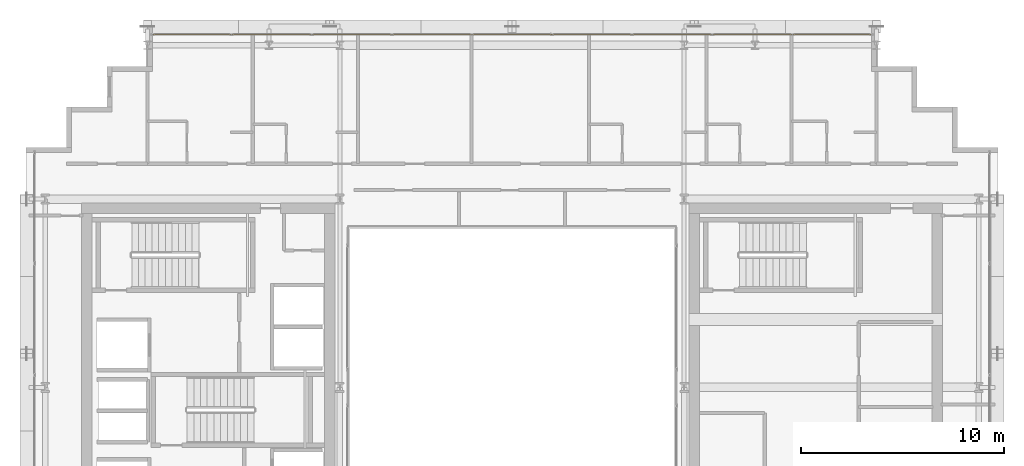
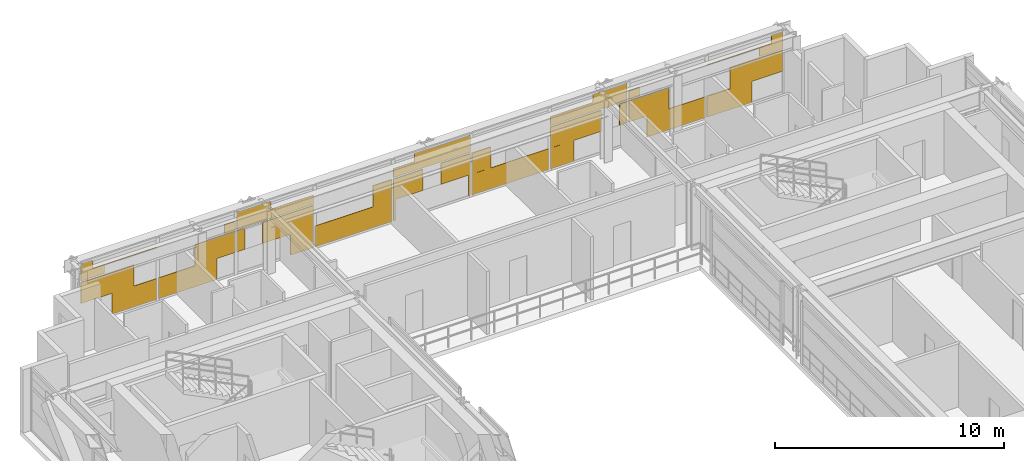
# One storey, part 37 of 37: 1 covering.
"""IFC4 building model written with IfcOpenShell, lengths in metres."""

from ifc_helpers import new_model, si_unit, direction, frame, origin, origin_2d, place, context, subcontext, project, spatial, rectangle, extrude, material, layer, layer_set, type_object, element, save


model = new_model("IFC4")

# Units and contexts
model_context = context("Model", 3, precision=1e-05, world=origin(), true_north=direction((0.0, 1.0)))
body_context = subcontext(model_context, "Body", "Model", "MODEL_VIEW")
ifc_project = project(units=[si_unit("LENGTHUNIT", "METRE"), si_unit("AREAUNIT", "SQUARE_METRE"), si_unit("VOLUMEUNIT", "CUBIC_METRE"), si_unit("PLANEANGLEUNIT", "RADIAN"), si_unit("MASSUNIT", "GRAM", prefix="KILO")], contexts=[model_context])

# Site, building, storey
site_placement = place(None, origin())
site = spatial("IfcSite", under=ifc_project, at=site_placement, CompositionType="ELEMENT")
building_placement = place(site_placement, origin())
building = spatial("IfcBuilding", under=site, at=building_placement, Name="Ocotamira Hotel", CompositionType="ELEMENT")
storey_placement = place(building_placement, frame((0.0, 0.0, 192.0)))
storey = spatial("IfcBuildingStorey", under=building, at=storey_placement, Name="L48", CompositionType="ELEMENT", Elevation=192.0)

# Covering
ifc_material = material(Name="Insulated pale-metal aluminium spandrel panel", Category="aluminium")
ifc_layer = layer(ifc_material, 0.044921875)
ifc_layer_set = layer_set([ifc_layer], Name="Insulated pale-metal aluminium spandrel panel")
covering_type = type_object("IfcCoveringType", Name="COV-INFILL-45", PredefinedType="CLADDING", material=ifc_layer_set)
covering_placement = place(storey_placement, origin())
element("IfcCovering", 1, at=covering_placement, inside=storey, type_object=covering_type, Name="L48 Curtain Wall Infill CW-4 CW-L48-N", PredefinedType="CLADDING", context=body_context, shape_type="SweptSolid", body=[
    extrude(rectangle(XDim=2.68701171875, YDim=0.044921875, at=origin_2d()), frame((15.6240234375, 45.580078125, 1.1943359375), z_axis=(0.0, 0.0, 1.0), x_axis=(1.0, 0.0, 0.0)), (0.0, 0.0, 1.0), 1.117919921875),
    extrude(rectangle(XDim=2.26708984375, YDim=0.044921875, at=origin_2d()), frame((16.9814453125, 45.580078125, 0.07568359375), z_axis=(0.0, 0.0, 1.0), x_axis=(1.0, 0.0, 0.0)), (0.0, 0.0, 1.0), 1.117919921875),
    extrude(rectangle(XDim=1.19482421875, YDim=0.044921875, at=origin_2d()), frame((14.8779296875, 45.580078125, 2.38818359375), z_axis=(0.0, 0.0, 1.0), x_axis=(1.0, 0.0, 0.0)), (0.0, 0.0, 1.0), 0.442626953125),
    extrude(rectangle(XDim=3.834716796875, YDim=0.044921875, at=origin_2d()), frame((16.19775390625, 45.580078125, 2.83154296875), z_axis=(0.0, 0.0, 1.0), x_axis=(1.0, 0.0, 0.0)), (0.0, 0.0, 1.0), 0.0302734375),
    extrude(rectangle(XDim=0.601318359375, YDim=0.044921875, at=origin_2d()), frame((14.581298828125, 45.580078125, 2.86279296875), z_axis=(0.0, 0.0, 1.0), x_axis=(1.0, 0.0, 0.0)), (0.0, 0.0, 1.0), 0.431640625),
    extrude(rectangle(XDim=2.955810546875, YDim=0.044921875, at=origin_2d()), frame((19.674072265625, 45.580078125, 0.07568359375), z_axis=(0.0, 0.0, 1.0), x_axis=(1.0, 0.0, 0.0)), (0.0, 0.0, 1.0), 1.117919921875),
    extrude(rectangle(XDim=2.0380859375, YDim=0.044921875, at=origin_2d()), frame((21.051513671875, 45.580078125, 1.1943359375), z_axis=(0.0, 0.0, 1.0), x_axis=(1.0, 0.0, 0.0)), (0.0, 0.0, 1.0), 1.117919921875),
    extrude(rectangle(XDim=0.5458984375, YDim=0.044921875, at=origin_2d()), frame((21.797607421875, 45.580078125, 2.38818359375), z_axis=(0.0, 0.0, 1.0), x_axis=(1.0, 0.0, 0.0)), (0.0, 0.0, 1.0), 0.473876953125),
    extrude(rectangle(XDim=0.398681640625, YDim=0.044921875, at=origin_2d()), frame((22.35107421875, 45.580078125, 1.1943359375), z_axis=(0.0, 0.0, 1.0), x_axis=(1.0, 0.0, 0.0)), (0.0, 0.0, 1.0), 1.117919921875),
    extrude(rectangle(XDim=2.57666015625, YDim=0.044921875, at=origin_2d()), frame((24.73779296875, 45.580078125, 1.1943359375), z_axis=(0.0, 0.0, 1.0), x_axis=(1.0, 0.0, 0.0)), (0.0, 0.0, 1.0), 1.117919921875),
    extrude(rectangle(XDim=1.177978515625, YDim=0.044921875, at=origin_2d()), frame((25.43701171875, 45.580078125, 0.07568359375), z_axis=(0.0, 0.0, 1.0), x_axis=(1.0, 0.0, 0.0)), (0.0, 0.0, 1.0), 1.117919921875),
    extrude(rectangle(XDim=3.87451171875, YDim=0.044921875, at=origin_2d()), frame((24.0888671875, 45.580078125, 2.38818359375), z_axis=(0.0, 0.0, 1.0), x_axis=(1.0, 0.0, 0.0)), (0.0, 0.0, 1.0), 0.473876953125),
    extrude(rectangle(XDim=1.730224609375, YDim=0.044921875, at=origin_2d()), frame((23.0166015625, 45.580078125, 2.86279296875), z_axis=(0.0, 0.0, 1.0), x_axis=(1.0, 0.0, 0.0)), (0.0, 0.0, 1.0), 0.431640625),
    extrude(rectangle(XDim=3.87451171875, YDim=0.044921875, at=origin_2d()), frame((28.04443359375, 45.580078125, 0.07568359375), z_axis=(0.0, 0.0, 1.0), x_axis=(1.0, 0.0, 0.0)), (0.0, 0.0, 1.0), 1.117919921875),
    extrude(rectangle(XDim=0.94921875, YDim=0.044921875, at=origin_2d()), frame((29.507080078125, 45.580078125, 1.1943359375), z_axis=(0.0, 0.0, 1.0), x_axis=(1.0, 0.0, 0.0)), (0.0, 0.0, 1.0), 1.117919921875),
    extrude(rectangle(XDim=0.089111328125, YDim=0.044921875, at=origin_2d()), frame((30.107421875, 45.580078125, 0.07568359375), z_axis=(0.0, 0.0, 1.0), x_axis=(1.0, 0.0, 0.0)), (0.0, 0.0, 1.0), 1.117919921875),
    extrude(rectangle(XDim=1.48779296875, YDim=0.044921875, at=origin_2d()), frame((30.806640625, 45.580078125, 1.1943359375), z_axis=(0.0, 0.0, 1.0), x_axis=(1.0, 0.0, 0.0)), (0.0, 0.0, 1.0), 1.117919921875),
    extrude(rectangle(XDim=1.48779296875, YDim=0.044921875, at=origin_2d()), frame((33.193359375, 45.580078125, 1.1943359375), z_axis=(0.0, 0.0, 1.0), x_axis=(1.0, 0.0, 0.0)), (0.0, 0.0, 1.0), 1.117919921875),
    extrude(rectangle(XDim=0.089111328125, YDim=0.044921875, at=origin_2d()), frame((33.892578125, 45.580078125, 0.07568359375), z_axis=(0.0, 0.0, 1.0), x_axis=(1.0, 0.0, 0.0)), (0.0, 0.0, 1.0), 1.117919921875),
    extrude(rectangle(XDim=3.87451171875, YDim=0.044921875, at=origin_2d()), frame((32.0, 45.580078125, 2.38818359375), z_axis=(0.0, 0.0, 1.0), x_axis=(1.0, 0.0, 0.0)), (0.0, 0.0, 1.0), 0.473876953125),
    extrude(rectangle(XDim=2.819091796875, YDim=0.044921875, at=origin_2d()), frame((32.527587890625, 45.580078125, 2.86279296875), z_axis=(0.0, 0.0, 1.0), x_axis=(1.0, 0.0, 0.0)), (0.0, 0.0, 1.0), 0.431640625),
    extrude(rectangle(XDim=3.87451171875, YDim=0.044921875, at=origin_2d()), frame((35.95556640625, 45.580078125, 0.07568359375), z_axis=(0.0, 0.0, 1.0), x_axis=(1.0, 0.0, 0.0)), (0.0, 0.0, 1.0), 1.117919921875),
    extrude(rectangle(XDim=0.94921875, YDim=0.044921875, at=origin_2d()), frame((34.492919921875, 45.580078125, 1.1943359375), z_axis=(0.0, 0.0, 1.0), x_axis=(1.0, 0.0, 0.0)), (0.0, 0.0, 1.0), 1.117919921875),
    extrude(rectangle(XDim=1.177978515625, YDim=0.044921875, at=origin_2d()), frame((38.56298828125, 45.580078125, 0.07568359375), z_axis=(0.0, 0.0, 1.0), x_axis=(1.0, 0.0, 0.0)), (0.0, 0.0, 1.0), 1.117919921875),
    extrude(rectangle(XDim=2.57666015625, YDim=0.044921875, at=origin_2d()), frame((39.26220703125, 45.580078125, 1.1943359375), z_axis=(0.0, 0.0, 1.0), x_axis=(1.0, 0.0, 0.0)), (0.0, 0.0, 1.0), 1.117919921875),
    extrude(rectangle(XDim=0.398681640625, YDim=0.044921875, at=origin_2d()), frame((41.64892578125, 45.580078125, 1.1943359375), z_axis=(0.0, 0.0, 1.0), x_axis=(1.0, 0.0, 0.0)), (0.0, 0.0, 1.0), 1.117919921875),
    extrude(rectangle(XDim=3.87451171875, YDim=0.044921875, at=origin_2d()), frame((39.9111328125, 45.580078125, 2.38818359375), z_axis=(0.0, 0.0, 1.0), x_axis=(1.0, 0.0, 0.0)), (0.0, 0.0, 1.0), 0.473876953125),
    extrude(rectangle(XDim=1.730224609375, YDim=0.044921875, at=origin_2d()), frame((40.9833984375, 45.580078125, 2.86279296875), z_axis=(0.0, 0.0, 1.0), x_axis=(1.0, 0.0, 0.0)), (0.0, 0.0, 1.0), 0.431640625),
    extrude(rectangle(XDim=2.0380859375, YDim=0.044921875, at=origin_2d()), frame((42.948486328125, 45.580078125, 1.1943359375), z_axis=(0.0, 0.0, 1.0), x_axis=(1.0, 0.0, 0.0)), (0.0, 0.0, 1.0), 1.117919921875),
    extrude(rectangle(XDim=2.955810546875, YDim=0.044921875, at=origin_2d()), frame((44.325927734375, 45.580078125, 0.07568359375), z_axis=(0.0, 0.0, 1.0), x_axis=(1.0, 0.0, 0.0)), (0.0, 0.0, 1.0), 1.117919921875),
    extrude(rectangle(XDim=0.5458984375, YDim=0.044921875, at=origin_2d()), frame((42.202392578125, 45.580078125, 2.38818359375), z_axis=(0.0, 0.0, 1.0), x_axis=(1.0, 0.0, 0.0)), (0.0, 0.0, 1.0), 0.473876953125),
    extrude(rectangle(XDim=2.26708984375, YDim=0.044921875, at=origin_2d()), frame((47.0185546875, 45.580078125, 0.07568359375), z_axis=(0.0, 0.0, 1.0), x_axis=(1.0, 0.0, 0.0)), (0.0, 0.0, 1.0), 1.117919921875),
    extrude(rectangle(XDim=2.68701171875, YDim=0.044921875, at=origin_2d()), frame((48.3759765625, 45.580078125, 1.1943359375), z_axis=(0.0, 0.0, 1.0), x_axis=(1.0, 0.0, 0.0)), (0.0, 0.0, 1.0), 1.117919921875),
    extrude(rectangle(XDim=3.834716796875, YDim=0.044921875, at=origin_2d()), frame((47.80224609375, 45.580078125, 2.83154296875), z_axis=(0.0, 0.0, 1.0), x_axis=(1.0, 0.0, 0.0)), (0.0, 0.0, 1.0), 0.0302734375),
    extrude(rectangle(XDim=1.19482421875, YDim=0.044921875, at=origin_2d()), frame((49.1220703125, 45.580078125, 2.38818359375), z_axis=(0.0, 0.0, 1.0), x_axis=(1.0, 0.0, 0.0)), (0.0, 0.0, 1.0), 0.442626953125),
    extrude(rectangle(XDim=0.601318359375, YDim=0.044921875, at=origin_2d()), frame((49.418701171875, 45.580078125, 2.86279296875), z_axis=(0.0, 0.0, 1.0), x_axis=(1.0, 0.0, 0.0)), (0.0, 0.0, 1.0), 0.431640625),
])

save(model, "model.ifc")
